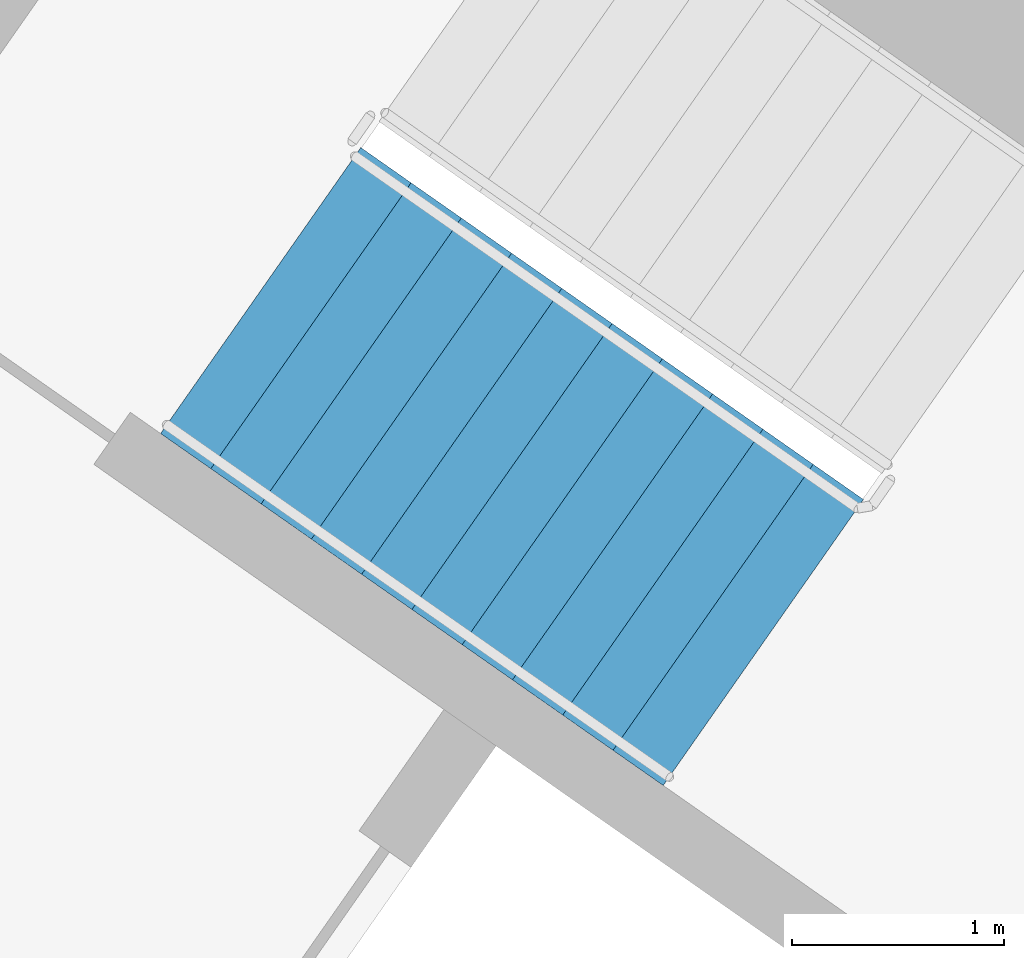
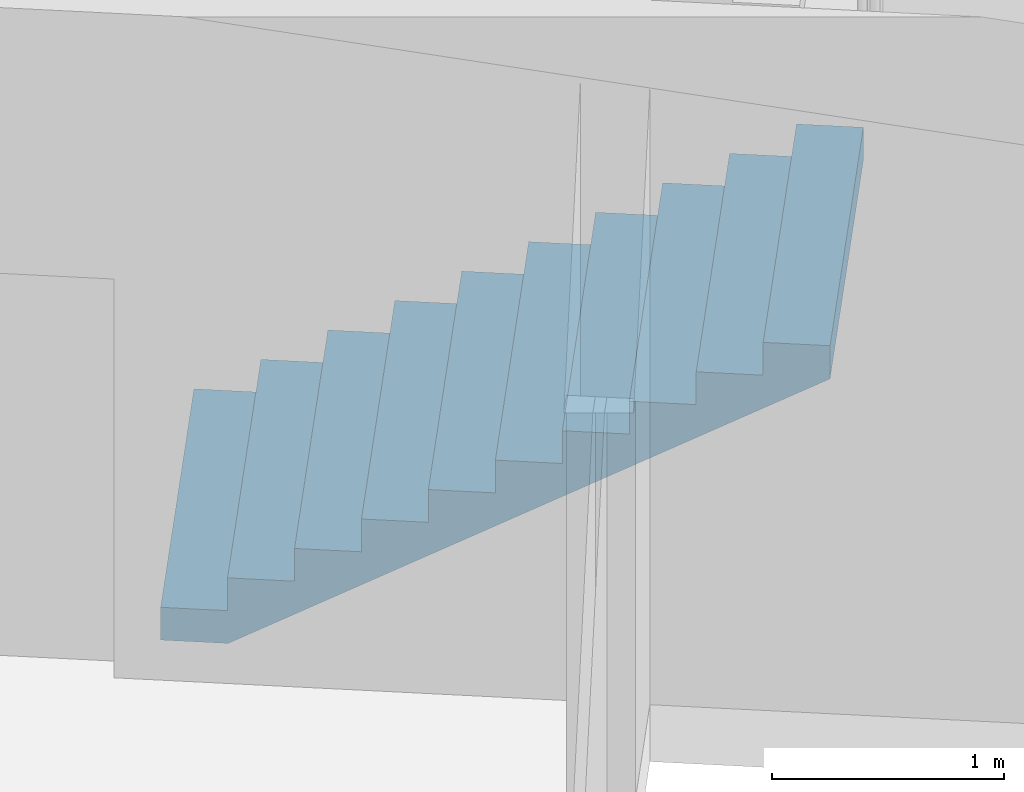
# One storey, part 12 of 29: 1 stair flight, 1 element without a shape of its own.
"""IFC4 building model written with IfcOpenShell, lengths in metres."""

import ifcopenshell
import ifcopenshell.guid

model = None  # the IFC model being written
_history = None  # IfcOwnerHistory: only IFC2X3 demands one
_inside = {}  # id of a spatial element -> (the spatial element, [elements in it])
_under = {}  # id of a project, library or spatial element -> (it, [spatial elements below it])
_declared = {}  # id of a project -> (the project, [libraries it declares])
_typed = {}  # id of a type object -> (the type object, [elements of that type])
_made_of = {}  # id of a material, layer set ... -> (it, [elements and type objects made of it])


def new_model(schema):
    """Start an empty IFC model of exactly this schema.

    Asked for "IFC4X3", IfcOpenShell would pick the latest addendum, in which some entities
    have other attributes; the version numbers below select the first issue.
    IFC2X3 requires an IfcOwnerHistory on every rooted entity: one is made here for all.
    """
    global model, _history
    if schema == "IFC4X3":
        model = ifcopenshell.file(schema_version=(4, 3, 0, 0))
    else:
        model = ifcopenshell.file(schema=schema)
    _inside.clear()
    _under.clear()
    _declared.clear()
    _typed.clear()
    _made_of.clear()
    _history = None
    if model.schema == "IFC2X3":
        org = make("IfcOrganization", Name="unknown")
        user = make(
            "IfcPersonAndOrganization",
            ThePerson=make("IfcPerson", FamilyName="unknown"),
            TheOrganization=org,
        )
        app = make(
            "IfcApplication",
            ApplicationDeveloper=org,
            Version="unknown",
            ApplicationFullName="unknown",
            ApplicationIdentifier="unknown",
        )
        _history = make(
            "IfcOwnerHistory",
            OwningUser=user,
            OwningApplication=app,
            ChangeAction="ADDED",
            CreationDate=0,
        )
    return model


def make(cls, **values):
    """One entity of the class cls with the attributes given. An attribute that is None is left unset."""
    return model.create_entity(
        cls, **{name: value for name, value in values.items() if value is not None}
    )


def rooted(cls, **values):
    """An entity with a GlobalId (a new one), such as an element, a storey or a relation."""
    return make(cls, GlobalId=ifcopenshell.guid.new(), OwnerHistory=_history, **values)


def si_unit(unit_type, name, prefix=None):
    """IfcSIUnit, for example si_unit("LENGTHUNIT", "METRE", prefix="MILLI")."""
    return make("IfcSIUnit", UnitType=unit_type, Prefix=prefix, Name=name)


def assignment(units):
    """IfcUnitAssignment: the units of a project."""
    return None if units is None else make("IfcUnitAssignment", Units=units)


def point(xyz):
    """IfcCartesianPoint."""
    return None if xyz is None else make("IfcCartesianPoint", Coordinates=xyz)


def direction(xyz):
    """IfcDirection."""
    return None if xyz is None else make("IfcDirection", DirectionRatios=xyz)


def frame(location, z_axis=None, x_axis=None):
    """IfcAxis2Placement3D, a coordinate frame: its origin and axes. An axis left out is left unset."""
    return make(
        "IfcAxis2Placement3D",
        Location=point(location),
        Axis=direction(z_axis),
        RefDirection=direction(x_axis),
    )


def origin():
    """The frame at (0, 0, 0) with its axes left unset."""
    return frame((0.0, 0.0, 0.0))


def place(relative_to, where):
    """IfcLocalPlacement: puts the frame where relative to a parent placement (None: the world)."""
    return make(
        "IfcLocalPlacement", PlacementRelTo=relative_to, RelativePlacement=where
    )


def context(
    kind, dimensions, precision=None, world=None, true_north=None, identifier=None
):
    """IfcGeometricRepresentationContext, for example the 3D "Model" context."""
    return make(
        "IfcGeometricRepresentationContext",
        ContextIdentifier=identifier,
        ContextType=kind,
        CoordinateSpaceDimension=dimensions,
        Precision=precision,
        WorldCoordinateSystem=world,
        TrueNorth=true_north,
    )


def subcontext(parent, identifier, kind, view, scale=None):
    """IfcGeometricRepresentationSubContext, for example "Body" below "Model"."""
    return make(
        "IfcGeometricRepresentationSubContext",
        ContextIdentifier=identifier,
        ContextType=kind,
        ParentContext=parent,
        TargetScale=scale,
        TargetView=view,
    )


def project(units=None, contexts=None):
    """IfcProject with its units and contexts."""
    return rooted(
        "IfcProject",
        Name="project",
        RepresentationContexts=contexts,
        UnitsInContext=assignment(units),
    )


def spatial(cls, under=None, at=None, **own):
    """A site, building, storey or space (cls), placed at a placement, below another one or the project."""
    s = rooted(cls, ObjectPlacement=at, **own)
    if under is not None:
        _under.setdefault(under.id(), (under, []))[1].append(s)
    return s


def faces_of(points, faces, orient=None, outer=None):
    """IfcFace entities. A face is a list of loops; a loop is a list of indices into points, from 0.

    orient and outer hold one flag for each loop. By default every Orientation is true, the
    first loop of a face is its IfcFaceOuterBound and the others are IfcFaceBound.
    """
    made = []
    for i, loops in enumerate(faces):
        bounds = []
        for j, loop in enumerate(loops):
            is_outer = j == 0 if outer is None else outer[i][j]
            bounds.append(
                make(
                    "IfcFaceOuterBound" if is_outer else "IfcFaceBound",
                    Bound=make("IfcPolyLoop", Polygon=[points[k] for k in loop]),
                    Orientation=True if orient is None else orient[i][j],
                )
            )
        made.append(make("IfcFace", Bounds=bounds))
    return made


def faceted_brep(points, faces, orient=None, outer=None, voids=None):
    """IfcFacetedBrep: a solid bounded by flat faces; with voids (closed shells), ...WithVoids."""
    shared = [point(p) for p in points]
    hull = make("IfcClosedShell", CfsFaces=faces_of(shared, faces, orient, outer))
    if voids is None:
        return make("IfcFacetedBrep", Outer=hull)
    return make(
        "IfcFacetedBrepWithVoids",
        Outer=hull,
        Voids=[
            make(cls, CfsFaces=faces_of(shared, fs, o, b)) for cls, fs, o, b in voids
        ],
    )


def shape(context_of_items, identifier, shape_type, items):
    """IfcShapeRepresentation: the items that make up one representation, for example the "Body"."""
    return make(
        "IfcShapeRepresentation",
        ContextOfItems=context_of_items,
        RepresentationIdentifier=identifier,
        RepresentationType=shape_type,
        Items=items,
    )


def material(Name=None, Category=None):
    """IfcMaterial."""
    return make("IfcMaterial", Name=Name, Category=Category)


def made_of(thing, what):
    """Note that an element or type object is made of a material, layer set ...; save() writes the relation."""
    if what is not None:
        _made_of.setdefault(what.id(), (what, []))[1].append(thing)
    return thing


def type_object(cls, material=None, **own):
    """A type object (cls), such as IfcWallType, which elements share."""
    return made_of(rooted(cls, **own), material)


def element(
    cls,
    number,
    at=None,
    inside=None,
    cuts=None,
    type_object=None,
    material=None,
    context=None,
    identifier="Body",
    shape_type=None,
    held_by="IfcProductDefinitionShape",
    body=None,
    shapes=None,
    **own,
):
    """One element of the class cls, such as IfcWall. Its Tag is "e" and its number.

    at: its placement. inside: the storey or other place that contains it. cuts: it is an
    opening in that element (IfcRelVoidsElement). A single representation is given by context,
    identifier, shape_type and body (its items); several are given by shapes. held_by: the class
    of the entity that holds the representations. save() writes the other relations.
    """
    e = rooted(cls, Tag="e%d" % number, ObjectPlacement=at, **own)
    if body is not None:
        shapes = [shape(context, identifier, shape_type, body)]
    if shapes is not None:
        e.Representation = make(held_by, Representations=shapes)
    if inside is not None:
        _inside.setdefault(inside.id(), (inside, []))[1].append(e)
    if cuts is not None:
        rooted(
            "IfcRelVoidsElement", RelatingBuildingElement=cuts, RelatedOpeningElement=e
        )
    if type_object is not None:
        _typed.setdefault(type_object.id(), (type_object, []))[1].append(e)
    return made_of(e, material)


def aggregate(whole, parts):
    """IfcRelAggregates: a whole, such as a stair, and the parts it consists of."""
    return rooted("IfcRelAggregates", RelatingObject=whole, RelatedObjects=parts)


def save(model, path):
    """Write the relations noted so far, then the file.

    IfcRelAggregates (storeys below a building ...), IfcRelContainedInSpatialStructure (elements
    in a storey), IfcRelDefinesByType, IfcRelAssociatesMaterial and IfcRelDeclares: one each for
    every whole, place, type object, material and project.
    """
    for whole, parts in _under.values():
        aggregate(whole, parts)
    for where, things in _inside.values():
        rooted(
            "IfcRelContainedInSpatialStructure",
            RelatedElements=things,
            RelatingStructure=where,
        )
    for kind, things in _typed.values():
        rooted("IfcRelDefinesByType", RelatedObjects=things, RelatingType=kind)
    for what, things in _made_of.values():
        rooted("IfcRelAssociatesMaterial", RelatedObjects=things, RelatingMaterial=what)
    for by, libraries in _declared.values():
        rooted("IfcRelDeclares", RelatingContext=by, RelatedDefinitions=libraries)
    model.write(path)


model = new_model("IFC4")

# Units and contexts
model_context = context("Model", 3, precision=1e-05, world=origin(), true_north=direction((0.0, 1.0)))
body_context = subcontext(model_context, "Body", "Model", "MODEL_VIEW")
ifc_project = project(units=[si_unit("LENGTHUNIT", "METRE"), si_unit("AREAUNIT", "SQUARE_METRE"), si_unit("VOLUMEUNIT", "CUBIC_METRE"), si_unit("PLANEANGLEUNIT", "RADIAN"), si_unit("MASSUNIT", "GRAM", prefix="KILO")], contexts=[model_context])

# Site, building, storey
site_placement = place(None, origin())
site = spatial("IfcSite", under=ifc_project, at=site_placement, CompositionType="ELEMENT")
building_placement = place(site_placement, origin())
building = spatial("IfcBuilding", under=site, at=building_placement, Name="Qamariyya Broadcast Tower", CompositionType="ELEMENT")
storey_placement = place(building_placement, frame((0.0, 0.0, 113.89990234375)))
storey = spatial("IfcBuildingStorey", under=building, at=storey_placement, Name="L25", CompositionType="ELEMENT", Elevation=113.89990234375)

# Stair, stair flight
ifc_material = material(Name="Concrete C50/60", Category="concrete")
stair_type = type_object("IfcStairType", Name="Exit stair 22 risers of 173 mm", PredefinedType="HALF_TURN_STAIR", material=ifc_material)
stair_placement = place(storey_placement, origin())
stair = element("IfcStair", 1, at=stair_placement, inside=storey, type_object=stair_type, Name="L25 Stair W2", PredefinedType="HALF_TURN_STAIR")
stair_flight_type = type_object("IfcStairFlightType", Name="Exit stair flight 11 risers of 173 mm", PredefinedType="STRAIGHT", material=ifc_material)
stair_flight_placement = place(storey_placement, frame((-41.59130859375, -49.15966796875, 0.0), z_axis=(0.0, 0.0, 1.0), x_axis=(0.819152044289, -0.573576436351, 0.0)))
stair_flight = element("IfcStairFlight", 2, at=stair_flight_placement, type_object=stair_flight_type, Name="ST-W2 flight 1", NumberOfRisers=11, NumberOfTreads=10, PredefinedType="STRAIGHT", RiserHeight=0.172727273, TreadLength=0.29, context=body_context, shape_type="Brep", body=[
    faceted_brep([(0.0, 0.824951171875, 0.0), (0.0, 0.824951171875, 0.172607421875), (0.2900390625, 0.824951171875, 0.172607421875), (0.2900390625, 0.824951171875, 0.345458984375), (0.580078125, 0.824951171875, 0.345458984375), (0.580078125, 0.824951171875, 0.51806640625), (0.8701171875, 0.824951171875, 0.51806640625), (0.8701171875, 0.824951171875, 0.69091796875), (1.159912109375, 0.824951171875, 0.69091796875), (1.159912109375, 0.824951171875, 0.863525390625), (1.449951171875, 0.824951171875, 0.863525390625), (1.449951171875, 0.824951171875, 1.036376953125), (1.739990234375, 0.824951171875, 1.036376953125), (1.739990234375, 0.824951171875, 1.208984375), (2.030029296875, 0.824951171875, 1.208984375), (2.030029296875, 0.824951171875, 1.3818359375), (2.320068359375, 0.824951171875, 1.3818359375), (2.320068359375, 0.824951171875, 1.554443359375), (2.610107421875, 0.824951171875, 1.554443359375), (2.610107421875, 0.824951171875, 1.727294921875), (2.89990234375, 0.824951171875, 1.727294921875), (2.89990234375, 0.824951171875, 1.552734375), (0.29296875, 0.824951171875, 0.0), (0.29296875, -0.824951171875, 0.0), (2.89990234375, -0.824951171875, 1.552734375), (2.89990234375, -0.824951171875, 1.727294921875), (2.610107421875, -0.824951171875, 1.727294921875), (2.610107421875, -0.824951171875, 1.554443359375), (2.320068359375, -0.824951171875, 1.554443359375), (2.320068359375, -0.824951171875, 1.3818359375), (2.030029296875, -0.824951171875, 1.3818359375), (2.030029296875, -0.824951171875, 1.208984375), (1.739990234375, -0.824951171875, 1.208984375), (1.739990234375, -0.824951171875, 1.036376953125), (1.449951171875, -0.824951171875, 1.036376953125), (1.449951171875, -0.824951171875, 0.863525390625), (1.159912109375, -0.824951171875, 0.863525390625), (1.159912109375, -0.824951171875, 0.69091796875), (0.8701171875, -0.824951171875, 0.69091796875), (0.8701171875, -0.824951171875, 0.51806640625), (0.580078125, -0.824951171875, 0.51806640625), (0.580078125, -0.824951171875, 0.345458984375), (0.2900390625, -0.824951171875, 0.345458984375), (0.2900390625, -0.824951171875, 0.172607421875), (0.0, -0.824951171875, 0.172607421875), (0.0, -0.824951171875, 0.0), (0.0, 0.10009765625, 0.0), (0.0, 0.086669921875, 0.0), (0.0, 0.0732421875, 0.0), (0.0, 0.06005859375, 0.0), (0.0, 0.046630859375, 0.0), (0.0, 0.033447265625, 0.0), (0.0, 0.02001953125, 0.0), (0.0, 0.006591796875, 0.0), (0.0, -0.006591796875, 0.0), (0.0, -0.02001953125, 0.0), (0.0, -0.033447265625, 0.0), (0.0, -0.046630859375, 0.0), (0.0, -0.06005859375, 0.0), (0.0, -0.0732421875, 0.0), (0.0, -0.086669921875, 0.0), (0.0, -0.10009765625, 0.0), (0.0, -0.10009765625, 0.172607421875), (0.0, -0.086669921875, 0.172607421875), (0.0, -0.0732421875, 0.172607421875), (0.0, -0.06005859375, 0.172607421875), (0.0, -0.046630859375, 0.172607421875), (0.0, -0.033447265625, 0.172607421875), (0.0, -0.02001953125, 0.172607421875), (0.0, -0.006591796875, 0.172607421875), (0.0, 0.006591796875, 0.172607421875), (0.0, 0.02001953125, 0.172607421875), (0.0, 0.033447265625, 0.172607421875), (0.0, 0.046630859375, 0.172607421875), (0.0, 0.06005859375, 0.172607421875), (0.0, 0.0732421875, 0.172607421875), (0.0, 0.086669921875, 0.172607421875), (0.0, 0.10009765625, 0.172607421875), (0.2900390625, -0.10009765625, 0.172607421875), (0.2900390625, -0.086669921875, 0.172607421875), (0.2900390625, -0.0732421875, 0.172607421875), (0.2900390625, -0.06005859375, 0.172607421875), (0.2900390625, -0.046630859375, 0.172607421875), (0.2900390625, -0.033447265625, 0.172607421875), (0.2900390625, -0.02001953125, 0.172607421875), (0.2900390625, -0.006591796875, 0.172607421875), (0.2900390625, 0.006591796875, 0.172607421875), (0.2900390625, 0.02001953125, 0.172607421875), (0.2900390625, 0.033447265625, 0.172607421875), (0.2900390625, 0.046630859375, 0.172607421875), (0.2900390625, 0.06005859375, 0.172607421875), (0.2900390625, 0.0732421875, 0.172607421875), (0.2900390625, 0.086669921875, 0.172607421875), (0.2900390625, 0.10009765625, 0.172607421875), (0.2900390625, -0.10009765625, 0.345458984375), (0.2900390625, -0.086669921875, 0.345458984375), (0.2900390625, -0.0732421875, 0.345458984375), (0.2900390625, -0.06005859375, 0.345458984375), (0.2900390625, -0.046630859375, 0.345458984375), (0.2900390625, -0.033447265625, 0.345458984375), (0.2900390625, -0.02001953125, 0.345458984375), (0.2900390625, -0.006591796875, 0.345458984375), (0.2900390625, 0.006591796875, 0.345458984375), (0.2900390625, 0.02001953125, 0.345458984375), (0.2900390625, 0.033447265625, 0.345458984375), (0.2900390625, 0.046630859375, 0.345458984375), (0.2900390625, 0.06005859375, 0.345458984375), (0.2900390625, 0.0732421875, 0.345458984375), (0.2900390625, 0.086669921875, 0.345458984375), (0.2900390625, 0.10009765625, 0.345458984375), (0.580078125, -0.10009765625, 0.345458984375), (0.580078125, -0.086669921875, 0.345458984375), (0.580078125, -0.0732421875, 0.345458984375), (0.580078125, -0.06005859375, 0.345458984375), (0.580078125, -0.046630859375, 0.345458984375), (0.580078125, -0.033447265625, 0.345458984375), (0.580078125, -0.02001953125, 0.345458984375), (0.580078125, -0.006591796875, 0.345458984375), (0.580078125, 0.006591796875, 0.345458984375), (0.580078125, 0.02001953125, 0.345458984375), (0.580078125, 0.033447265625, 0.345458984375), (0.580078125, 0.046630859375, 0.345458984375), (0.580078125, 0.06005859375, 0.345458984375), (0.580078125, 0.0732421875, 0.345458984375), (0.580078125, 0.086669921875, 0.345458984375), (0.580078125, 0.10009765625, 0.345458984375), (0.580078125, -0.10009765625, 0.51806640625), (0.580078125, -0.086669921875, 0.51806640625), (0.580078125, -0.0732421875, 0.51806640625), (0.580078125, -0.06005859375, 0.51806640625), (0.580078125, -0.046630859375, 0.51806640625), (0.580078125, -0.033447265625, 0.51806640625), (0.580078125, -0.02001953125, 0.51806640625), (0.580078125, -0.006591796875, 0.51806640625), (0.580078125, 0.006591796875, 0.51806640625), (0.580078125, 0.02001953125, 0.51806640625), (0.580078125, 0.033447265625, 0.51806640625), (0.580078125, 0.046630859375, 0.51806640625), (0.580078125, 0.06005859375, 0.51806640625), (0.580078125, 0.0732421875, 0.51806640625), (0.580078125, 0.086669921875, 0.51806640625), (0.580078125, 0.10009765625, 0.51806640625), (0.8701171875, -0.10009765625, 0.51806640625), (0.8701171875, -0.086669921875, 0.51806640625), (0.8701171875, -0.0732421875, 0.51806640625), (0.8701171875, -0.06005859375, 0.51806640625), (0.8701171875, -0.046630859375, 0.51806640625), (0.8701171875, -0.033447265625, 0.51806640625), (0.8701171875, -0.02001953125, 0.51806640625), (0.8701171875, -0.006591796875, 0.51806640625), (0.8701171875, 0.006591796875, 0.51806640625), (0.8701171875, 0.02001953125, 0.51806640625), (0.8701171875, 0.033447265625, 0.51806640625), (0.8701171875, 0.046630859375, 0.51806640625), (0.8701171875, 0.06005859375, 0.51806640625), (0.8701171875, 0.0732421875, 0.51806640625), (0.8701171875, 0.086669921875, 0.51806640625), (0.8701171875, 0.10009765625, 0.51806640625), (0.8701171875, -0.10009765625, 0.69091796875), (0.8701171875, -0.086669921875, 0.69091796875), (0.8701171875, -0.0732421875, 0.69091796875), (0.8701171875, -0.06005859375, 0.69091796875), (0.8701171875, -0.046630859375, 0.69091796875), (0.8701171875, -0.033447265625, 0.69091796875), (0.8701171875, -0.02001953125, 0.69091796875), (0.8701171875, -0.006591796875, 0.69091796875), (0.8701171875, 0.006591796875, 0.69091796875), (0.8701171875, 0.02001953125, 0.69091796875), (0.8701171875, 0.033447265625, 0.69091796875), (0.8701171875, 0.046630859375, 0.69091796875), (0.8701171875, 0.06005859375, 0.69091796875), (0.8701171875, 0.0732421875, 0.69091796875), (0.8701171875, 0.086669921875, 0.69091796875), (0.8701171875, 0.10009765625, 0.69091796875), (1.159912109375, -0.10009765625, 0.69091796875), (1.159912109375, -0.086669921875, 0.69091796875), (1.159912109375, -0.0732421875, 0.69091796875), (1.159912109375, -0.06005859375, 0.69091796875), (1.159912109375, -0.046630859375, 0.69091796875), (1.159912109375, -0.033447265625, 0.69091796875), (1.159912109375, -0.02001953125, 0.69091796875), (1.159912109375, -0.006591796875, 0.69091796875), (1.159912109375, 0.006591796875, 0.69091796875), (1.159912109375, 0.02001953125, 0.69091796875), (1.159912109375, 0.033447265625, 0.69091796875), (1.159912109375, 0.046630859375, 0.69091796875), (1.159912109375, 0.06005859375, 0.69091796875), (1.159912109375, 0.0732421875, 0.69091796875), (1.159912109375, 0.086669921875, 0.69091796875), (1.159912109375, 0.10009765625, 0.69091796875), (1.159912109375, -0.10009765625, 0.863525390625), (1.159912109375, -0.086669921875, 0.863525390625), (1.159912109375, -0.0732421875, 0.863525390625), (1.159912109375, -0.06005859375, 0.863525390625), (1.159912109375, -0.046630859375, 0.863525390625), (1.159912109375, -0.033447265625, 0.863525390625), (1.159912109375, -0.02001953125, 0.863525390625), (1.159912109375, -0.006591796875, 0.863525390625), (1.159912109375, 0.006591796875, 0.863525390625), (1.159912109375, 0.02001953125, 0.863525390625), (1.159912109375, 0.033447265625, 0.863525390625), (1.159912109375, 0.046630859375, 0.863525390625), (1.159912109375, 0.06005859375, 0.863525390625), (1.159912109375, 0.0732421875, 0.863525390625), (1.159912109375, 0.086669921875, 0.863525390625), (1.159912109375, 0.10009765625, 0.863525390625), (1.449951171875, -0.10009765625, 0.863525390625), (1.449951171875, -0.086669921875, 0.863525390625), (1.449951171875, -0.0732421875, 0.863525390625), (1.449951171875, -0.06005859375, 0.863525390625), (1.449951171875, -0.046630859375, 0.863525390625), (1.449951171875, -0.033447265625, 0.863525390625), (1.449951171875, -0.02001953125, 0.863525390625), (1.449951171875, -0.006591796875, 0.863525390625), (1.449951171875, 0.006591796875, 0.863525390625), (1.449951171875, 0.02001953125, 0.863525390625), (1.449951171875, 0.033447265625, 0.863525390625), (1.449951171875, 0.046630859375, 0.863525390625), (1.449951171875, 0.06005859375, 0.863525390625), (1.449951171875, 0.0732421875, 0.863525390625), (1.449951171875, 0.086669921875, 0.863525390625), (1.449951171875, 0.10009765625, 0.863525390625), (1.449951171875, -0.10009765625, 1.036376953125), (1.449951171875, -0.086669921875, 1.036376953125), (1.449951171875, -0.0732421875, 1.036376953125), (1.449951171875, -0.06005859375, 1.036376953125), (1.449951171875, -0.046630859375, 1.036376953125), (1.449951171875, -0.033447265625, 1.036376953125), (1.449951171875, -0.02001953125, 1.036376953125), (1.449951171875, -0.006591796875, 1.036376953125), (1.449951171875, 0.006591796875, 1.036376953125), (1.449951171875, 0.02001953125, 1.036376953125), (1.449951171875, 0.033447265625, 1.036376953125), (1.449951171875, 0.046630859375, 1.036376953125), (1.449951171875, 0.06005859375, 1.036376953125), (1.449951171875, 0.0732421875, 1.036376953125), (1.449951171875, 0.086669921875, 1.036376953125), (1.449951171875, 0.10009765625, 1.036376953125), (1.739990234375, -0.10009765625, 1.036376953125), (1.739990234375, -0.086669921875, 1.036376953125), (1.739990234375, -0.0732421875, 1.036376953125), (1.739990234375, -0.06005859375, 1.036376953125), (1.739990234375, -0.046630859375, 1.036376953125), (1.739990234375, -0.033447265625, 1.036376953125), (1.739990234375, -0.02001953125, 1.036376953125), (1.739990234375, -0.006591796875, 1.036376953125), (1.739990234375, 0.006591796875, 1.036376953125), (1.739990234375, 0.02001953125, 1.036376953125), (1.739990234375, 0.033447265625, 1.036376953125), (1.739990234375, 0.046630859375, 1.036376953125), (1.739990234375, 0.06005859375, 1.036376953125), (1.739990234375, 0.0732421875, 1.036376953125), (1.739990234375, 0.086669921875, 1.036376953125), (1.739990234375, 0.10009765625, 1.036376953125), (1.739990234375, -0.10009765625, 1.208984375), (1.739990234375, -0.086669921875, 1.208984375), (1.739990234375, -0.0732421875, 1.208984375), (1.739990234375, -0.06005859375, 1.208984375), (1.739990234375, -0.046630859375, 1.208984375), (1.739990234375, -0.033447265625, 1.208984375), (1.739990234375, -0.02001953125, 1.208984375), (1.739990234375, -0.006591796875, 1.208984375), (1.739990234375, 0.006591796875, 1.208984375), (1.739990234375, 0.02001953125, 1.208984375), (1.739990234375, 0.033447265625, 1.208984375), (1.739990234375, 0.046630859375, 1.208984375), (1.739990234375, 0.06005859375, 1.208984375), (1.739990234375, 0.0732421875, 1.208984375), (1.739990234375, 0.086669921875, 1.208984375), (1.739990234375, 0.10009765625, 1.208984375), (2.030029296875, -0.10009765625, 1.208984375), (2.030029296875, -0.086669921875, 1.208984375), (2.030029296875, -0.0732421875, 1.208984375), (2.030029296875, -0.06005859375, 1.208984375), (2.030029296875, -0.046630859375, 1.208984375), (2.030029296875, -0.033447265625, 1.208984375), (2.030029296875, -0.02001953125, 1.208984375), (2.030029296875, -0.006591796875, 1.208984375), (2.030029296875, 0.006591796875, 1.208984375), (2.030029296875, 0.02001953125, 1.208984375), (2.030029296875, 0.033447265625, 1.208984375), (2.030029296875, 0.046630859375, 1.208984375), (2.030029296875, 0.06005859375, 1.208984375), (2.030029296875, 0.0732421875, 1.208984375), (2.030029296875, 0.086669921875, 1.208984375), (2.030029296875, 0.10009765625, 1.208984375), (2.030029296875, -0.10009765625, 1.3818359375), (2.030029296875, -0.086669921875, 1.3818359375), (2.030029296875, -0.0732421875, 1.3818359375), (2.030029296875, -0.06005859375, 1.3818359375), (2.030029296875, -0.046630859375, 1.3818359375), (2.030029296875, -0.033447265625, 1.3818359375), (2.030029296875, -0.02001953125, 1.3818359375), (2.030029296875, -0.006591796875, 1.3818359375), (2.030029296875, 0.006591796875, 1.3818359375), (2.030029296875, 0.02001953125, 1.3818359375), (2.030029296875, 0.033447265625, 1.3818359375), (2.030029296875, 0.046630859375, 1.3818359375), (2.030029296875, 0.06005859375, 1.3818359375), (2.030029296875, 0.0732421875, 1.3818359375), (2.030029296875, 0.086669921875, 1.3818359375), (2.030029296875, 0.10009765625, 1.3818359375), (2.320068359375, -0.10009765625, 1.3818359375), (2.320068359375, -0.086669921875, 1.3818359375), (2.320068359375, -0.0732421875, 1.3818359375), (2.320068359375, -0.06005859375, 1.3818359375), (2.320068359375, -0.046630859375, 1.3818359375), (2.320068359375, -0.033447265625, 1.3818359375), (2.320068359375, -0.02001953125, 1.3818359375), (2.320068359375, -0.006591796875, 1.3818359375), (2.320068359375, 0.006591796875, 1.3818359375), (2.320068359375, 0.02001953125, 1.3818359375), (2.320068359375, 0.033447265625, 1.3818359375), (2.320068359375, 0.046630859375, 1.3818359375), (2.320068359375, 0.06005859375, 1.3818359375), (2.320068359375, 0.0732421875, 1.3818359375), (2.320068359375, 0.086669921875, 1.3818359375), (2.320068359375, 0.10009765625, 1.3818359375), (2.320068359375, -0.10009765625, 1.554443359375), (2.320068359375, -0.086669921875, 1.554443359375), (2.320068359375, -0.0732421875, 1.554443359375), (2.320068359375, -0.06005859375, 1.554443359375), (2.320068359375, -0.046630859375, 1.554443359375), (2.320068359375, -0.033447265625, 1.554443359375), (2.320068359375, -0.02001953125, 1.554443359375), (2.320068359375, -0.006591796875, 1.554443359375), (2.320068359375, 0.006591796875, 1.554443359375), (2.320068359375, 0.02001953125, 1.554443359375), (2.320068359375, 0.033447265625, 1.554443359375), (2.320068359375, 0.046630859375, 1.554443359375), (2.320068359375, 0.06005859375, 1.554443359375), (2.320068359375, 0.0732421875, 1.554443359375), (2.320068359375, 0.086669921875, 1.554443359375), (2.320068359375, 0.10009765625, 1.554443359375), (2.610107421875, -0.10009765625, 1.554443359375), (2.610107421875, -0.086669921875, 1.554443359375), (2.610107421875, -0.0732421875, 1.554443359375), (2.610107421875, -0.06005859375, 1.554443359375), (2.610107421875, -0.046630859375, 1.554443359375), (2.610107421875, -0.033447265625, 1.554443359375), (2.610107421875, -0.02001953125, 1.554443359375), (2.610107421875, -0.006591796875, 1.554443359375), (2.610107421875, 0.006591796875, 1.554443359375), (2.610107421875, 0.02001953125, 1.554443359375), (2.610107421875, 0.033447265625, 1.554443359375), (2.610107421875, 0.046630859375, 1.554443359375), (2.610107421875, 0.06005859375, 1.554443359375), (2.610107421875, 0.0732421875, 1.554443359375), (2.610107421875, 0.086669921875, 1.554443359375), (2.610107421875, 0.10009765625, 1.554443359375), (2.610107421875, -0.10009765625, 1.727294921875), (2.610107421875, -0.086669921875, 1.727294921875), (2.610107421875, -0.0732421875, 1.727294921875), (2.610107421875, -0.06005859375, 1.727294921875), (2.610107421875, -0.046630859375, 1.727294921875), (2.610107421875, -0.033447265625, 1.727294921875), (2.610107421875, -0.02001953125, 1.727294921875), (2.610107421875, -0.006591796875, 1.727294921875), (2.610107421875, 0.006591796875, 1.727294921875), (2.610107421875, 0.02001953125, 1.727294921875), (2.610107421875, 0.033447265625, 1.727294921875), (2.610107421875, 0.046630859375, 1.727294921875), (2.610107421875, 0.06005859375, 1.727294921875), (2.610107421875, 0.0732421875, 1.727294921875), (2.610107421875, 0.086669921875, 1.727294921875), (2.610107421875, 0.10009765625, 1.727294921875), (2.89990234375, -0.10009765625, 1.727294921875), (2.89990234375, -0.086669921875, 1.727294921875), (2.89990234375, -0.0732421875, 1.727294921875), (2.89990234375, -0.06005859375, 1.727294921875), (2.89990234375, -0.046630859375, 1.727294921875), (2.89990234375, -0.033447265625, 1.727294921875), (2.89990234375, -0.02001953125, 1.727294921875), (2.89990234375, -0.006591796875, 1.727294921875), (2.89990234375, 0.006591796875, 1.727294921875), (2.89990234375, 0.02001953125, 1.727294921875), (2.89990234375, 0.033447265625, 1.727294921875), (2.89990234375, 0.046630859375, 1.727294921875), (2.89990234375, 0.06005859375, 1.727294921875), (2.89990234375, 0.0732421875, 1.727294921875), (2.89990234375, 0.086669921875, 1.727294921875), (2.89990234375, 0.10009765625, 1.727294921875), (2.89990234375, -0.10009765625, 1.552734375), (2.89990234375, -0.086669921875, 1.552734375), (2.89990234375, -0.0732421875, 1.552734375), (2.89990234375, -0.06005859375, 1.552734375), (2.89990234375, -0.046630859375, 1.552734375), (2.89990234375, -0.033447265625, 1.552734375), (2.89990234375, -0.02001953125, 1.552734375), (2.89990234375, -0.006591796875, 1.552734375), (2.89990234375, 0.006591796875, 1.552734375), (2.89990234375, 0.02001953125, 1.552734375), (2.89990234375, 0.033447265625, 1.552734375), (2.89990234375, 0.046630859375, 1.552734375), (2.89990234375, 0.06005859375, 1.552734375), (2.89990234375, 0.0732421875, 1.552734375), (2.89990234375, 0.086669921875, 1.552734375), (2.89990234375, 0.10009765625, 1.552734375), (0.29296875, -0.10009765625, 0.0), (0.29296875, -0.086669921875, 0.0), (0.29296875, -0.0732421875, 0.0), (0.29296875, -0.06005859375, 0.0), (0.29296875, -0.046630859375, 0.0), (0.29296875, -0.033447265625, 0.0), (0.29296875, -0.02001953125, 0.0), (0.29296875, -0.006591796875, 0.0), (0.29296875, 0.006591796875, 0.0), (0.29296875, 0.02001953125, 0.0), (0.29296875, 0.033447265625, 0.0), (0.29296875, 0.046630859375, 0.0), (0.29296875, 0.06005859375, 0.0), (0.29296875, 0.0732421875, 0.0), (0.29296875, 0.086669921875, 0.0), (0.29296875, 0.10009765625, 0.0)], [[[0, 1, 2, 3, 4, 5, 6, 7, 8, 9, 10, 11, 12, 13, 14, 15, 16, 17, 18, 19, 20, 21, 22]], [[23, 24, 25, 26, 27, 28, 29, 30, 31, 32, 33, 34, 35, 36, 37, 38, 39, 40, 41, 42, 43, 44, 45]], [[0, 46, 47, 48, 49, 50, 51, 52, 53, 54, 55, 56, 57, 58, 59, 60, 61, 45, 44, 62, 63, 64, 65, 66, 67, 68, 69, 70, 71, 72, 73, 74, 75, 76, 77, 1]], [[1, 77, 76, 75, 74, 73, 72, 71, 70, 69, 68, 67, 66, 65, 64, 63, 62, 44, 43, 78, 79, 80, 81, 82, 83, 84, 85, 86, 87, 88, 89, 90, 91, 92, 93, 2]], [[2, 93, 92, 91, 90, 89, 88, 87, 86, 85, 84, 83, 82, 81, 80, 79, 78, 43, 42, 94, 95, 96, 97, 98, 99, 100, 101, 102, 103, 104, 105, 106, 107, 108, 109, 3]], [[3, 109, 108, 107, 106, 105, 104, 103, 102, 101, 100, 99, 98, 97, 96, 95, 94, 42, 41, 110, 111, 112, 113, 114, 115, 116, 117, 118, 119, 120, 121, 122, 123, 124, 125, 4]], [[4, 125, 124, 123, 122, 121, 120, 119, 118, 117, 116, 115, 114, 113, 112, 111, 110, 41, 40, 126, 127, 128, 129, 130, 131, 132, 133, 134, 135, 136, 137, 138, 139, 140, 141, 5]], [[5, 141, 140, 139, 138, 137, 136, 135, 134, 133, 132, 131, 130, 129, 128, 127, 126, 40, 39, 142, 143, 144, 145, 146, 147, 148, 149, 150, 151, 152, 153, 154, 155, 156, 157, 6]], [[6, 157, 156, 155, 154, 153, 152, 151, 150, 149, 148, 147, 146, 145, 144, 143, 142, 39, 38, 158, 159, 160, 161, 162, 163, 164, 165, 166, 167, 168, 169, 170, 171, 172, 173, 7]], [[7, 173, 172, 171, 170, 169, 168, 167, 166, 165, 164, 163, 162, 161, 160, 159, 158, 38, 37, 174, 175, 176, 177, 178, 179, 180, 181, 182, 183, 184, 185, 186, 187, 188, 189, 8]], [[8, 189, 188, 187, 186, 185, 184, 183, 182, 181, 180, 179, 178, 177, 176, 175, 174, 37, 36, 190, 191, 192, 193, 194, 195, 196, 197, 198, 199, 200, 201, 202, 203, 204, 205, 9]], [[9, 205, 204, 203, 202, 201, 200, 199, 198, 197, 196, 195, 194, 193, 192, 191, 190, 36, 35, 206, 207, 208, 209, 210, 211, 212, 213, 214, 215, 216, 217, 218, 219, 220, 221, 10]], [[10, 221, 220, 219, 218, 217, 216, 215, 214, 213, 212, 211, 210, 209, 208, 207, 206, 35, 34, 222, 223, 224, 225, 226, 227, 228, 229, 230, 231, 232, 233, 234, 235, 236, 237, 11]], [[11, 237, 236, 235, 234, 233, 232, 231, 230, 229, 228, 227, 226, 225, 224, 223, 222, 34, 33, 238, 239, 240, 241, 242, 243, 244, 245, 246, 247, 248, 249, 250, 251, 252, 253, 12]], [[12, 253, 252, 251, 250, 249, 248, 247, 246, 245, 244, 243, 242, 241, 240, 239, 238, 33, 32, 254, 255, 256, 257, 258, 259, 260, 261, 262, 263, 264, 265, 266, 267, 268, 269, 13]], [[13, 269, 268, 267, 266, 265, 264, 263, 262, 261, 260, 259, 258, 257, 256, 255, 254, 32, 31, 270, 271, 272, 273, 274, 275, 276, 277, 278, 279, 280, 281, 282, 283, 284, 285, 14]], [[14, 285, 284, 283, 282, 281, 280, 279, 278, 277, 276, 275, 274, 273, 272, 271, 270, 31, 30, 286, 287, 288, 289, 290, 291, 292, 293, 294, 295, 296, 297, 298, 299, 300, 301, 15]], [[15, 301, 300, 299, 298, 297, 296, 295, 294, 293, 292, 291, 290, 289, 288, 287, 286, 30, 29, 302, 303, 304, 305, 306, 307, 308, 309, 310, 311, 312, 313, 314, 315, 316, 317, 16]], [[16, 317, 316, 315, 314, 313, 312, 311, 310, 309, 308, 307, 306, 305, 304, 303, 302, 29, 28, 318, 319, 320, 321, 322, 323, 324, 325, 326, 327, 328, 329, 330, 331, 332, 333, 17]], [[17, 333, 332, 331, 330, 329, 328, 327, 326, 325, 324, 323, 322, 321, 320, 319, 318, 28, 27, 334, 335, 336, 337, 338, 339, 340, 341, 342, 343, 344, 345, 346, 347, 348, 349, 18]], [[18, 349, 348, 347, 346, 345, 344, 343, 342, 341, 340, 339, 338, 337, 336, 335, 334, 27, 26, 350, 351, 352, 353, 354, 355, 356, 357, 358, 359, 360, 361, 362, 363, 364, 365, 19]], [[19, 365, 364, 363, 362, 361, 360, 359, 358, 357, 356, 355, 354, 353, 352, 351, 350, 26, 25, 366, 367, 368, 369, 370, 371, 372, 373, 374, 375, 376, 377, 378, 379, 380, 381, 20]], [[20, 381, 380, 379, 378, 377, 376, 375, 374, 373, 372, 371, 370, 369, 368, 367, 366, 25, 24, 382, 383, 384, 385, 386, 387, 388, 389, 390, 391, 392, 393, 394, 395, 396, 397, 21]], [[21, 397, 396, 395, 394, 393, 392, 391, 390, 389, 388, 387, 386, 385, 384, 383, 382, 24, 23, 398, 399, 400, 401, 402, 403, 404, 405, 406, 407, 408, 409, 410, 411, 412, 413, 22]], [[22, 413, 412, 411, 410, 409, 408, 407, 406, 405, 404, 403, 402, 401, 400, 399, 398, 23, 45, 61, 60, 59, 58, 57, 56, 55, 54, 53, 52, 51, 50, 49, 48, 47, 46, 0]]]),
])
aggregate(stair, [stair_flight])

save(model, "model.ifc")
